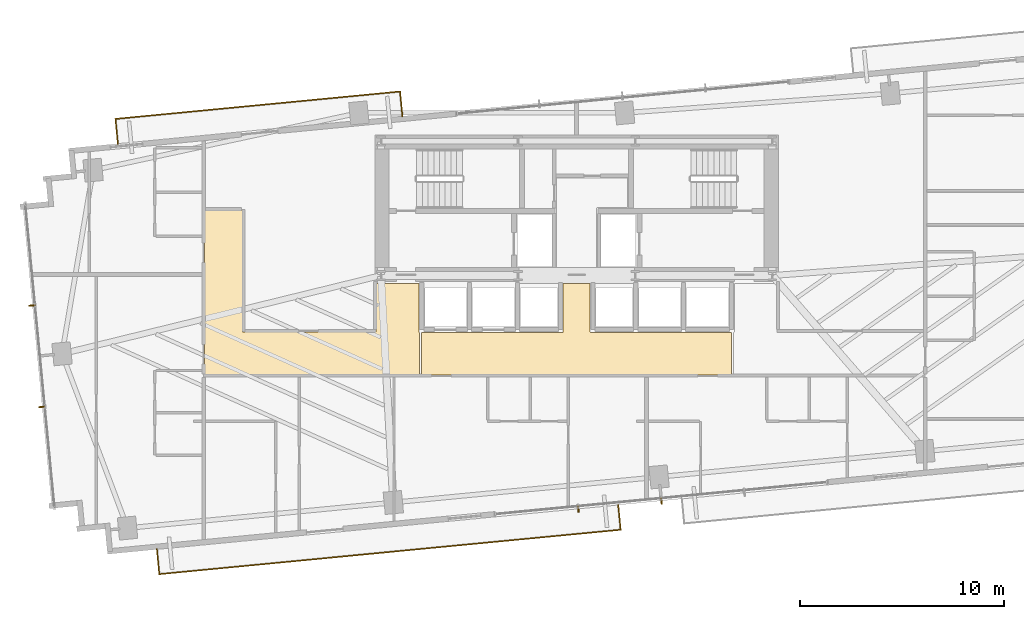
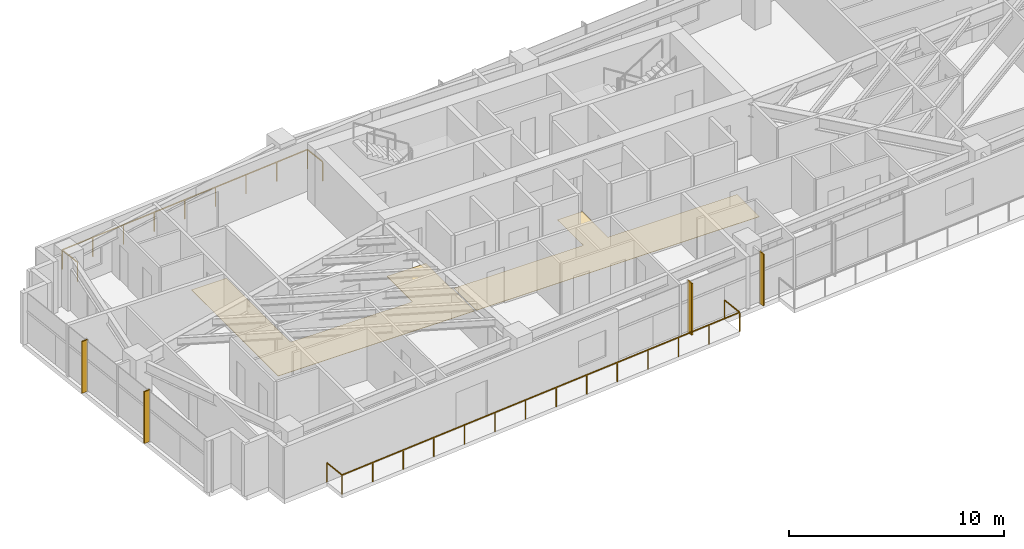
# One storey, part 25 of 27: 4 shading devices, 2 coverings, 2 railings.
"""IFC4 building model written with IfcOpenShell, lengths in metres."""

from ifc_helpers import new_model, si_unit, direction, frame, origin, origin_2d, place, context, subcontext, project, spatial, polyline, rectangle, outline, extrude, source, transform, mapped, material, layer, layer_set, type_object, type_shapes, element, save


model = new_model("IFC4")

# Units and contexts
model_context = context("Model", 3, precision=1e-05, world=origin(), true_north=direction((0.0, 1.0)))
body_context = subcontext(model_context, "Body", "Model", "MODEL_VIEW")
ifc_project = project(units=[si_unit("LENGTHUNIT", "METRE"), si_unit("AREAUNIT", "SQUARE_METRE"), si_unit("VOLUMEUNIT", "CUBIC_METRE"), si_unit("PLANEANGLEUNIT", "RADIAN"), si_unit("MASSUNIT", "GRAM", prefix="KILO")], contexts=[model_context])

# Site, building, storey
site_placement = place(None, origin())
site = spatial("IfcSite", under=ifc_project, at=site_placement, CompositionType="ELEMENT")
building_placement = place(site_placement, origin())
building = spatial("IfcBuilding", under=site, at=building_placement, Name="Astriad Promenade Condominiums", CompositionType="ELEMENT")
storey_placement = place(building_placement, frame((0.0, 0.0, 90.60009765625)))
storey = spatial("IfcBuildingStorey", under=building, at=storey_placement, Name="L25", CompositionType="ELEMENT", Elevation=90.60009765625)

# Coverings
ifc_material_1 = material(Name="Polished Lakefront Terrazzo Flooring")
ifc_layer = layer(ifc_material_1, 0.02001953125)
ifc_layer_set = layer_set([ifc_layer], Name="Polished Lakefront Terrazzo Flooring")
covering_type = type_object("IfcCoveringType", Name="COV-FLOR-TERRAZZO-20", PredefinedType="FLOORING", material=ifc_layer_set)
covering_1_placement = place(storey_placement, origin())
element("IfcCovering", 1, at=covering_1_placement, inside=storey, type_object=covering_type, Name="FLR-L25-LLB", PredefinedType="FLOORING", context=body_context, shape_type="SweptSolid", body=[
    extrude(outline(polyline([(43.610107421875, 14.610107421875), (43.610107421875, 12.530029296875), (28.389892578125, 12.530029296875), (28.389892578125, 14.610107421875), (35.300048828125, 14.610107421875), (35.303955078125, 14.610107421875), (35.307861328125, 14.61083984375), (35.3115234375, 14.61181640625), (35.315185546875, 14.613037109375), (35.31884765625, 14.61474609375), (35.322265625, 14.61669921875), (35.325439453125, 14.619140625), (35.328369140625, 14.62158203125), (35.330810546875, 14.62451171875), (35.333251953125, 14.627685546875), (35.335205078125, 14.631103515625), (35.3369140625, 14.634765625), (35.33837890625, 14.638427734375), (35.339111328125, 14.64208984375), (35.33984375, 14.64599609375), (35.340087890625, 14.64990234375), (35.340087890625, 17.010009765625), (36.659912109375, 17.010009765625), (36.659912109375, 14.64990234375), (36.66015625, 14.64599609375), (36.660888671875, 14.64208984375), (36.66162109375, 14.638427734375), (36.6630859375, 14.634765625), (36.664794921875, 14.631103515625), (36.666748046875, 14.627685546875), (36.669189453125, 14.62451171875), (36.671630859375, 14.62158203125), (36.674560546875, 14.619140625), (36.677734375, 14.61669921875), (36.68115234375, 14.61474609375), (36.684814453125, 14.613037109375), (36.6884765625, 14.61181640625), (36.692138671875, 14.61083984375), (36.696044921875, 14.610107421875), (36.699951171875, 14.610107421875), (43.610107421875, 14.610107421875)])), origin(), (0.0, 0.0, 1.0), 0.02001953125),
])
covering_2_placement = place(storey_placement, origin())
element("IfcCovering", 2, at=covering_2_placement, inside=storey, type_object=covering_type, Name="FLR-L25-COR-2", PredefinedType="FLOORING", context=body_context, shape_type="SweptSolid", body=[
    extrude(outline(polyline([(28.300048828125, 12.530029296875), (17.739990234375, 12.530029296875), (17.739990234375, 20.610107421875), (19.610107421875, 20.610107421875), (19.610107421875, 14.659912109375), (19.610107421875, 14.656005859375), (19.61083984375, 14.652099609375), (19.61181640625, 14.6484375), (19.613037109375, 14.644775390625), (19.61474609375, 14.64111328125), (19.61669921875, 14.6376953125), (19.619140625, 14.634521484375), (19.62158203125, 14.631591796875), (19.62451171875, 14.629150390625), (19.627685546875, 14.626708984375), (19.631103515625, 14.624755859375), (19.634765625, 14.623046875), (19.638427734375, 14.62158203125), (19.64208984375, 14.620849609375), (19.64599609375, 14.6201171875), (19.64990234375, 14.6201171875), (26.1201171875, 14.6201171875), (26.123779296875, 14.6201171875), (26.127685546875, 14.620849609375), (26.131591796875, 14.62158203125), (26.13525390625, 14.623046875), (26.138916015625, 14.624755859375), (26.14208984375, 14.626708984375), (26.1455078125, 14.629150390625), (26.148193359375, 14.631591796875), (26.15087890625, 14.634521484375), (26.1533203125, 14.6376953125), (26.1552734375, 14.64111328125), (26.156982421875, 14.644775390625), (26.158203125, 14.6484375), (26.1591796875, 14.652099609375), (26.159912109375, 14.656005859375), (26.159912109375, 14.659912109375), (26.159912109375, 17.010009765625), (28.260009765625, 17.010009765625), (28.260009765625, 14.64990234375), (28.26025390625, 14.64599609375), (28.2607421875, 14.64208984375), (28.26171875, 14.638427734375), (28.262939453125, 14.634765625), (28.2646484375, 14.631103515625), (28.2666015625, 14.627685546875), (28.26904296875, 14.62451171875), (28.271728515625, 14.62158203125), (28.274658203125, 14.619140625), (28.27783203125, 14.61669921875), (28.281005859375, 14.61474609375), (28.28466796875, 14.613037109375), (28.288330078125, 14.61181640625), (28.292236328125, 14.61083984375), (28.296142578125, 14.610107421875), (28.300048828125, 14.610107421875), (28.300048828125, 12.530029296875)])), origin(), (0.0, 0.0, 1.0), 0.02001953125),
])

# Shading devices
ifc_material_2 = material(Name="Anodised aluminium 6063-T6 Black Fin", Category="aluminium")
shading_device_type = type_object("IfcShadingDeviceType", Name="FIN-BLACK-320", PredefinedType="USERDEFINED", material=ifc_material_2)
shared_shape_1 = source(origin(), body_context, "Body", "SweptSolid", [
    extrude(rectangle(XDim=0.06494140625, YDim=0.320068359375, at=origin_2d()), origin(), (0.0, 0.0, 1.0), 2.93994140625),
])
type_shapes(shading_device_type, [shared_shape_1])
for number, where, z_axis, x_axis, name in (
    (3, (9.766845703125, 10.954345703125, 0.0), (0.0, 0.0, 1.0), (-0.09584575252, 0.995396198367, 0.0), "CW-L25-W-FIN-01"),
    (4, (9.28759765625, 15.931396484375, 0.0), (0.0, 0.0, 1.0), (-0.09584575252, 0.995396198367, 0.0), "CW-L25-W-FIN-02"),
    (5, (40.159423828125, 6.3359375, 0.0), (0.0, 0.0, 1.0), (-0.995396198367, -0.09584575252, 0.0), "CW-L25-S-FIN-02"),
    (6, (36.083251953125, 5.943603515625, 0.0), (0.0, 0.0, 1.0), (-0.995396198367, -0.09584575252, 0.0), "CW-L25-S-FIN-03"),
):
    element("IfcShadingDevice", number, at=place(storey_placement, frame(where, z_axis=z_axis, x_axis=x_axis)), inside=storey, type_object=shading_device_type, Name=name, ObjectType="FIN", PredefinedType="USERDEFINED", context=body_context, shape_type="MappedRepresentation", body=[
        mapped(shared_shape_1, transform((0.0, 0.0, 0.0), scale=1.0)),
    ])

# Railings
ifc_material_3 = material(Name="Laminated Glass and Stainless Steel Balustrade", Category="steel")
railing_type = type_object("IfcRailingType", Name="GRD-BALC-1120", PredefinedType="BALUSTRADE", material=ifc_material_3)
shared_shape_2 = source(origin(), body_context, "Body", "SweptSolid", [
    extrude(rectangle(XDim=0.048095703125, YDim=0.048095703125, at=origin_2d()), frame((0.0, 0.0, 1.09619140625), z_axis=(0.095857307208, -0.99539508571, 0.0), x_axis=(0.99539508571, 0.095857307208, 0.0)), (0.0, 0.0, 1.0), 1.219970703125),
    extrude(rectangle(XDim=0.048095703125, YDim=0.048095703125, at=origin_2d()), frame((0.116943359375, -1.21435546875, 1.09619140625), z_axis=(0.995395760441, 0.095850300449, 0.0), x_axis=(-0.095850300449, 0.995395760441, 0.0)), (0.0, 0.0, 1.0), 22.738037109375),
    extrude(rectangle(XDim=0.048095703125, YDim=0.048095703125, at=origin_2d()), frame((22.750244140625, 0.965087890625, 1.09619140625), z_axis=(-0.095857307208, 0.99539508571, 0.0), x_axis=(-0.99539508571, -0.095857307208, 0.0)), (0.0, 0.0, 1.0), 1.219970703125),
    extrude(rectangle(XDim=0.0419921875, YDim=0.0419921875, at=origin_2d()), origin(), (0.0, 0.0, 1.0), 1.072021484375),
    extrude(rectangle(XDim=0.0419921875, YDim=0.0419921875, at=origin_2d()), frame((0.116943359375, -1.21435546875, 0.0)), (0.0, 0.0, 1.0), 1.072021484375),
    extrude(rectangle(XDim=0.0419921875, YDim=0.0419921875, at=origin_2d()), frame((1.85791015625, -1.046630859375, 0.0)), (0.0, 0.0, 1.0), 1.072021484375),
    extrude(rectangle(XDim=0.0419921875, YDim=0.0419921875, at=origin_2d()), frame((3.598876953125, -0.879150390625, 0.0)), (0.0, 0.0, 1.0), 1.072021484375),
    extrude(rectangle(XDim=0.0419921875, YDim=0.0419921875, at=origin_2d()), frame((5.340087890625, -0.71142578125, 0.0)), (0.0, 0.0, 1.0), 1.072021484375),
    extrude(rectangle(XDim=0.0419921875, YDim=0.0419921875, at=origin_2d()), frame((7.0810546875, -0.543701171875, 0.0)), (0.0, 0.0, 1.0), 1.072021484375),
    extrude(rectangle(XDim=0.0419921875, YDim=0.0419921875, at=origin_2d()), frame((8.822021484375, -0.376220703125, 0.0)), (0.0, 0.0, 1.0), 1.072021484375),
    extrude(rectangle(XDim=0.0419921875, YDim=0.0419921875, at=origin_2d()), frame((10.56298828125, -0.20849609375, 0.0)), (0.0, 0.0, 1.0), 1.072021484375),
    extrude(rectangle(XDim=0.0419921875, YDim=0.0419921875, at=origin_2d()), frame((12.30419921875, -0.040771484375, 0.0)), (0.0, 0.0, 1.0), 1.072021484375),
    extrude(rectangle(XDim=0.0419921875, YDim=0.0419921875, at=origin_2d()), frame((14.045166015625, 0.126953125, 0.0)), (0.0, 0.0, 1.0), 1.072021484375),
    extrude(rectangle(XDim=0.0419921875, YDim=0.0419921875, at=origin_2d()), frame((15.7861328125, 0.29443359375, 0.0)), (0.0, 0.0, 1.0), 1.072021484375),
    extrude(rectangle(XDim=0.0419921875, YDim=0.0419921875, at=origin_2d()), frame((17.527099609375, 0.462158203125, 0.0)), (0.0, 0.0, 1.0), 1.072021484375),
    extrude(rectangle(XDim=0.0419921875, YDim=0.0419921875, at=origin_2d()), frame((19.268310546875, 0.6298828125, 0.0)), (0.0, 0.0, 1.0), 1.072021484375),
    extrude(rectangle(XDim=0.0419921875, YDim=0.0419921875, at=origin_2d()), frame((21.00927734375, 0.79736328125, 0.0)), (0.0, 0.0, 1.0), 1.072021484375),
    extrude(rectangle(XDim=0.0419921875, YDim=0.0419921875, at=origin_2d()), frame((22.750244140625, 0.965087890625, 0.0)), (0.0, 0.0, 1.0), 1.072021484375),
    extrude(rectangle(XDim=0.0419921875, YDim=0.0419921875, at=origin_2d()), frame((22.63330078125, 2.179443359375, 0.0)), (0.0, 0.0, 1.0), 1.072021484375),
])
railing_1_placement = place(storey_placement, frame((15.406982421875, 3.962646484375, 0.0)))
element("IfcRailing", 7, at=railing_1_placement, inside=storey, type_object=railing_type, Name="GRD-BALC-L25-SW", PredefinedType="BALUSTRADE", context=body_context, shape_type="MappedRepresentation", body=[
    mapped(shared_shape_2, transform((0.0, 0.0, 0.0), scale=1.0)),
])
shared_shape_3 = source(origin(), body_context, "Body", "SweptSolid", [
    extrude(rectangle(XDim=0.048095703125, YDim=0.048095703125, at=origin_2d()), frame((0.0, 0.0, 1.09619140625), z_axis=(-0.095857307208, 0.99539508571, 0.0), x_axis=(-0.99539508571, -0.095857307208, 0.0)), (0.0, 0.0, 1.0), 1.219970703125),
    extrude(rectangle(XDim=0.048095703125, YDim=0.048095703125, at=origin_2d()), frame((-0.116943359375, 1.21435546875, 1.09619140625), z_axis=(-0.995395177866, -0.095856350235, 0.0), x_axis=(0.095856350235, -0.995395177866, 0.0)), (0.0, 0.0, 1.0), 14.026123046875),
    extrude(rectangle(XDim=0.048095703125, YDim=0.048095703125, at=origin_2d()), frame((-14.078369140625, -0.130126953125, 1.09619140625), z_axis=(0.095857307208, -0.99539508571, 0.0), x_axis=(0.99539508571, 0.095857307208, 0.0)), (0.0, 0.0, 1.0), 1.219970703125),
    extrude(rectangle(XDim=0.0419921875, YDim=0.0419921875, at=origin_2d()), origin(), (0.0, 0.0, 1.0), 1.072021484375),
    extrude(rectangle(XDim=0.0419921875, YDim=0.0419921875, at=origin_2d()), frame((-0.116943359375, 1.21435546875, 0.0)), (0.0, 0.0, 1.0), 1.072021484375),
    extrude(rectangle(XDim=0.0419921875, YDim=0.0419921875, at=origin_2d()), frame((-1.862060546875, 1.04638671875, 0.0)), (0.0, 0.0, 1.0), 1.072021484375),
    extrude(rectangle(XDim=0.0419921875, YDim=0.0419921875, at=origin_2d()), frame((-3.607421875, 0.878173828125, 0.0)), (0.0, 0.0, 1.0), 1.072021484375),
    extrude(rectangle(XDim=0.0419921875, YDim=0.0419921875, at=origin_2d()), frame((-5.3525390625, 0.710205078125, 0.0)), (0.0, 0.0, 1.0), 1.072021484375),
    extrude(rectangle(XDim=0.0419921875, YDim=0.0419921875, at=origin_2d()), frame((-7.09765625, 0.5419921875, 0.0)), (0.0, 0.0, 1.0), 1.072021484375),
    extrude(rectangle(XDim=0.0419921875, YDim=0.0419921875, at=origin_2d()), frame((-8.8427734375, 0.3740234375, 0.0)), (0.0, 0.0, 1.0), 1.072021484375),
    extrude(rectangle(XDim=0.0419921875, YDim=0.0419921875, at=origin_2d()), frame((-10.587890625, 0.2060546875, 0.0)), (0.0, 0.0, 1.0), 1.072021484375),
    extrude(rectangle(XDim=0.0419921875, YDim=0.0419921875, at=origin_2d()), frame((-12.333251953125, 0.037841796875, 0.0)), (0.0, 0.0, 1.0), 1.072021484375),
    extrude(rectangle(XDim=0.0419921875, YDim=0.0419921875, at=origin_2d()), frame((-14.078369140625, -0.130126953125, 0.0)), (0.0, 0.0, 1.0), 1.072021484375),
    extrude(rectangle(XDim=0.0419921875, YDim=0.0419921875, at=origin_2d()), frame((-13.96142578125, -1.344482421875, 0.0)), (0.0, 0.0, 1.0), 1.072021484375),
])
type_shapes(railing_type, [shared_shape_2, shared_shape_3])
railing_2_placement = place(storey_placement, frame((27.451416015625, 25.215087890625, 0.0)))
element("IfcRailing", 8, at=railing_2_placement, inside=storey, type_object=railing_type, Name="GRD-BALC-L25-NW", PredefinedType="BALUSTRADE", context=body_context, shape_type="MappedRepresentation", body=[
    mapped(shared_shape_3, transform((0.0, 0.0, 0.0), scale=1.0)),
])

save(model, "model.ifc")
